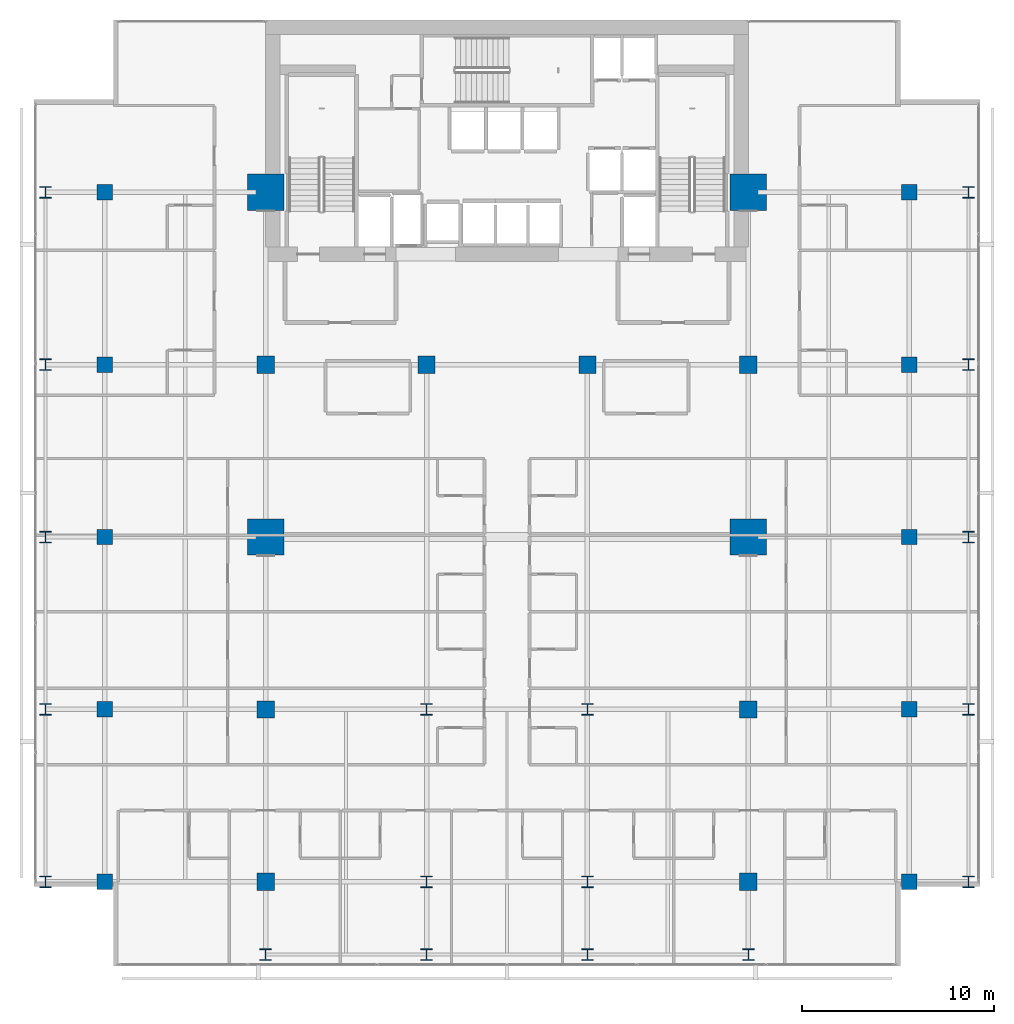
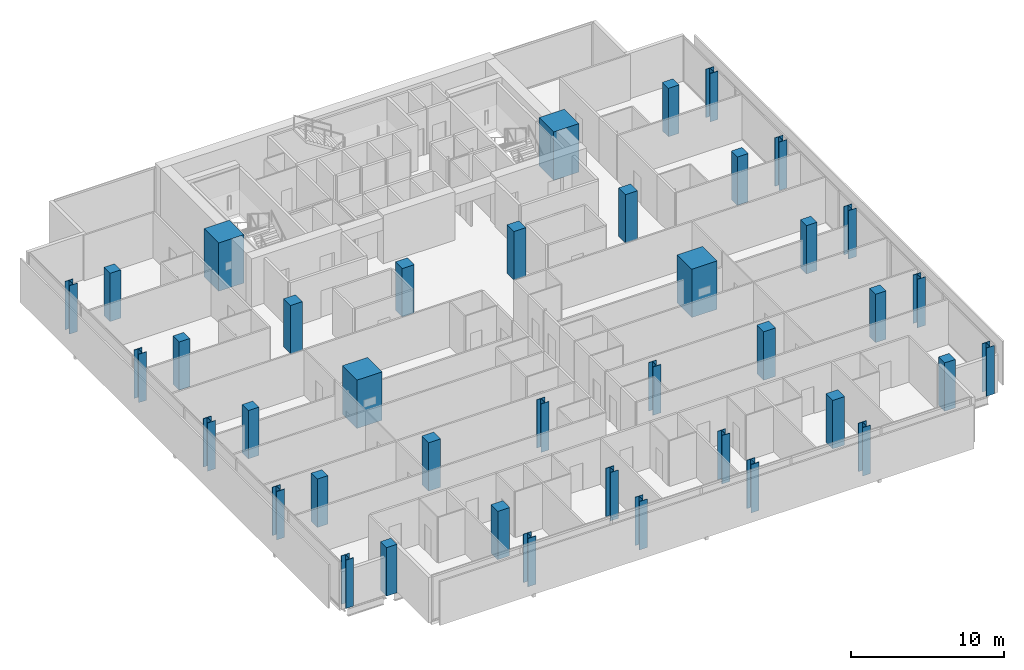
# One storey, part 1 of 34: 40 columns.
"""IFC4 building model written with IfcOpenShell, lengths in metres."""

from ifc_helpers import new_model, si_unit, direction, frame, origin, origin_2d, place, context, subcontext, project, spatial, rectangle, i_section, extrude, material, material_profile, profile_set, type_object, element, save


model = new_model("IFC4")

# Units and contexts
model_context = context("Model", 3, precision=1e-05, world=origin(), true_north=direction((0.0, 1.0)))
body_context = subcontext(model_context, "Body", "Model", "MODEL_VIEW")
ifc_project = project(units=[si_unit("LENGTHUNIT", "METRE"), si_unit("AREAUNIT", "SQUARE_METRE"), si_unit("VOLUMEUNIT", "CUBIC_METRE"), si_unit("PLANEANGLEUNIT", "RADIAN"), si_unit("MASSUNIT", "GRAM", prefix="KILO")], contexts=[model_context])

# Site, building, storey
site_placement = place(None, origin())
site = spatial("IfcSite", under=ifc_project, at=site_placement, CompositionType="ELEMENT")
building_placement = place(site_placement, origin())
building = spatial("IfcBuilding", under=site, at=building_placement, Name="Maruvema Waterfront Hotel and Observation Tower", CompositionType="ELEMENT")
storey_placement = place(building_placement, frame((0.0, 0.0, 131.25)))
storey = spatial("IfcBuildingStorey", under=building, at=storey_placement, Name="L31", CompositionType="ELEMENT", Elevation=131.25)

# Columns
ifc_material_1 = material(Name="Concrete C80/95", Category="concrete")
ifc_material_profile_1 = material_profile(ifc_material_1, rectangle(XDim=1.89990234375, YDim=1.89990234375, at=origin_2d()), Name="MC1900x1900")
ifc_profile_set_1 = profile_set([ifc_material_profile_1], Name="Concrete C80/95")
column_type_1 = type_object("IfcColumnType", Name="Continuous Mega-Column MC1900x1900", PredefinedType="COLUMN", material=ifc_profile_set_1)
for number, where, z_axis, x_axis, name in (
    (1, (25.199951171875, 27.0, 0.0), (0.0, 0.0, 1.0), (1.0, 0.0, 0.0), "L31 Continuous Mega-Column MC-01"),
    (2, (50.39990234375, 27.0, 0.0), (0.0, 0.0, 1.0), (1.0, 0.0, 0.0), "L31 Continuous Mega-Column MC-02"),
    (3, (25.199951171875, 45.0, 0.0), (0.0, 0.0, 1.0), (1.0, 0.0, 0.0), "L31 Continuous Mega-Column MC-03"),
    (4, (50.39990234375, 45.0, 0.0), (0.0, 0.0, 1.0), (1.0, 0.0, 0.0), "L31 Continuous Mega-Column MC-04"),
):
    element("IfcColumn", number, at=place(storey_placement, frame(where, z_axis=z_axis, x_axis=x_axis)), inside=storey, type_object=column_type_1, Name=name, PredefinedType="COLUMN", context=body_context, shape_type="SweptSolid", body=[
        extrude(rectangle(XDim=1.89990234375, YDim=1.89990234375, at=origin_2d()), origin(), (0.0, 0.0, 1.0), 3.85009765625),
    ])
ifc_material_2 = material(Name="Concrete C60/75", Category="concrete")
ifc_material_profile_2 = material_profile(ifc_material_2, rectangle(XDim=0.800048828125, YDim=0.800048828125, at=origin_2d()), Name="RC800x800")
ifc_profile_set_2 = profile_set([ifc_material_profile_2], Name="Concrete C60/75")
column_type_2 = type_object("IfcColumnType", Name="Reinforced Concrete Column RC800x800", PredefinedType="COLUMN", material=ifc_profile_set_2)
for number, where, z_axis, x_axis, name in (
    (5, (16.800048828125, 9.0, 0.0), (0.0, 0.0, 1.0), (1.0, 0.0, 0.0), "L31 Column C-3Y9"),
    (6, (58.800048828125, 9.0, 0.0), (0.0, 0.0, 1.0), (1.0, 0.0, 0.0), "L31 Column C-8Y9"),
    (7, (16.800048828125, 18.0, 0.0), (0.0, 0.0, 1.0), (1.0, 0.0, 0.0), "L31 Column C-3Y18"),
    (8, (58.800048828125, 18.0, 0.0), (0.0, 0.0, 1.0), (1.0, 0.0, 0.0), "L31 Column C-8Y18"),
    (9, (16.800048828125, 27.0, 0.0), (0.0, 0.0, 1.0), (1.0, 0.0, 0.0), "L31 Column C-3Y27"),
    (10, (58.800048828125, 27.0, 0.0), (0.0, 0.0, 1.0), (1.0, 0.0, 0.0), "L31 Column C-8Y27"),
    (11, (16.800048828125, 36.0, 0.0), (0.0, 0.0, 1.0), (1.0, 0.0, 0.0), "L31 Column C-3Y36"),
    (12, (58.800048828125, 36.0, 0.0), (0.0, 0.0, 1.0), (1.0, 0.0, 0.0), "L31 Column C-8Y36"),
    (13, (16.800048828125, 45.0, 0.0), (0.0, 0.0, 1.0), (1.0, 0.0, 0.0), "L31 Column C-3Y45"),
    (14, (58.800048828125, 45.0, 0.0), (0.0, 0.0, 1.0), (1.0, 0.0, 0.0), "L31 Column C-8Y45"),
):
    element("IfcColumn", number, at=place(storey_placement, frame(where, z_axis=z_axis, x_axis=x_axis)), inside=storey, type_object=column_type_2, Name=name, PredefinedType="COLUMN", context=body_context, shape_type="SweptSolid", body=[
        extrude(rectangle(XDim=0.800048828125, YDim=0.800048828125, at=origin_2d()), origin(), (0.0, 0.0, 1.0), 3.85009765625),
    ])
ifc_material_3 = material(Name="Concrete C60/75", Category="concrete")
ifc_material_profile_3 = material_profile(ifc_material_3, rectangle(XDim=0.89990234375, YDim=0.89990234375, at=origin_2d()), Name="RC900x900")
ifc_profile_set_3 = profile_set([ifc_material_profile_3], Name="Concrete C60/75")
column_type_3 = type_object("IfcColumnType", Name="Reinforced Concrete Column RC900x900", PredefinedType="COLUMN", material=ifc_profile_set_3)
for number, where, z_axis, x_axis, name in (
    (15, (25.199951171875, 36.0, 0.0), (0.0, 0.0, 1.0), (1.0, 0.0, 0.0), "L31 Column C-4E"),
    (16, (33.60009765625, 36.0, 0.0), (0.0, 0.0, 1.0), (1.0, 0.0, 0.0), "L31 Column C-5E"),
    (17, (42.0, 36.0, 0.0), (0.0, 0.0, 1.0), (1.0, 0.0, 0.0), "L31 Column C-6E"),
    (18, (50.39990234375, 36.0, 0.0), (0.0, 0.0, 1.0), (1.0, 0.0, 0.0), "L31 Column C-7E"),
    (19, (25.199951171875, 18.0, 0.0), (0.0, 0.0, 1.0), (1.0, 0.0, 0.0), "L31 Column C-4C"),
    (20, (50.39990234375, 18.0, 0.0), (0.0, 0.0, 1.0), (1.0, 0.0, 0.0), "L31 Column C-7C"),
    (21, (25.199951171875, 9.0, 0.0), (0.0, 0.0, 1.0), (1.0, 0.0, 0.0), "L31 Column C-4B"),
    (22, (50.39990234375, 9.0, 0.0), (0.0, 0.0, 1.0), (1.0, 0.0, 0.0), "L31 Column C-7B"),
):
    element("IfcColumn", number, at=place(storey_placement, frame(where, z_axis=z_axis, x_axis=x_axis)), inside=storey, type_object=column_type_3, Name=name, PredefinedType="COLUMN", context=body_context, shape_type="SweptSolid", body=[
        extrude(rectangle(XDim=0.89990234375, YDim=0.89990234375, at=origin_2d()), origin(), (0.0, 0.0, 1.0), 3.85009765625),
    ])
ifc_material_4 = material(Name="Steel ABNT NBR 7007 AR 415 (ASTM A572 Grade 50)", Category="steel")
ifc_material_profile_4 = material_profile(ifc_material_4, i_section(OverallWidth=0.60009765625, OverallDepth=0.60009765625, WebThickness=0.02490234375, FlangeThickness=0.0380859375, at=origin_2d()), Name="CVS600x317")
ifc_profile_set_4 = profile_set([ifc_material_profile_4], Name="Steel ABNT NBR 7007 AR 415 (ASTM A572 Grade 50)")
column_type_4 = type_object("IfcColumnType", Name="Structural Steel Column CVS600x317", PredefinedType="COLUMN", material=ifc_profile_set_4)
for number, where, z_axis, x_axis, name in (
    (23, (33.60009765625, 9.0, 0.0), (0.0, 0.0, 1.0), (1.0, 0.0, 0.0), "L31 Column C-5B"),
    (24, (42.0, 9.0, 0.0), (0.0, 0.0, 1.0), (1.0, 0.0, 0.0), "L31 Column C-6B"),
    (25, (33.60009765625, 18.0, 0.0), (0.0, 0.0, 1.0), (1.0, 0.0, 0.0), "L31 Column C-5C"),
    (26, (42.0, 18.0, 0.0), (0.0, 0.0, 1.0), (1.0, 0.0, 0.0), "L31 Column C-6C"),
    (27, (13.699951171875, 9.0, 0.0), (0.0, 0.0, 1.0), (1.0, 0.0, 0.0), "L31 Column C-Z2W9"),
    (28, (61.89990234375, 9.0, 0.0), (0.0, 0.0, 1.0), (1.0, 0.0, 0.0), "L31 Column C-Z2E9"),
    (29, (13.699951171875, 18.0, 0.0), (0.0, 0.0, 1.0), (1.0, 0.0, 0.0), "L31 Column C-Z2W18"),
    (30, (61.89990234375, 18.0, 0.0), (0.0, 0.0, 1.0), (1.0, 0.0, 0.0), "L31 Column C-Z2E18"),
    (31, (13.699951171875, 27.0, 0.0), (0.0, 0.0, 1.0), (1.0, 0.0, 0.0), "L31 Column C-Z2W27"),
    (32, (61.89990234375, 27.0, 0.0), (0.0, 0.0, 1.0), (1.0, 0.0, 0.0), "L31 Column C-Z2E27"),
    (33, (13.699951171875, 36.0, 0.0), (0.0, 0.0, 1.0), (1.0, 0.0, 0.0), "L31 Column C-Z2W36"),
    (34, (61.89990234375, 36.0, 0.0), (0.0, 0.0, 1.0), (1.0, 0.0, 0.0), "L31 Column C-Z2E36"),
    (35, (13.699951171875, 45.0, 0.0), (0.0, 0.0, 1.0), (1.0, 0.0, 0.0), "L31 Column C-Z2W45"),
    (36, (61.89990234375, 45.0, 0.0), (0.0, 0.0, 1.0), (1.0, 0.0, 0.0), "L31 Column C-Z2E45"),
    (37, (25.199951171875, 5.199951171875, 0.0), (0.0, 0.0, 1.0), (1.0, 0.0, 0.0), "L31 Column C-Z2S4"),
    (38, (33.60009765625, 5.199951171875, 0.0), (0.0, 0.0, 1.0), (1.0, 0.0, 0.0), "L31 Column C-Z2S5"),
    (39, (42.0, 5.199951171875, 0.0), (0.0, 0.0, 1.0), (1.0, 0.0, 0.0), "L31 Column C-Z2S6"),
    (40, (50.39990234375, 5.199951171875, 0.0), (0.0, 0.0, 1.0), (1.0, 0.0, 0.0), "L31 Column C-Z2S7"),
):
    element("IfcColumn", number, at=place(storey_placement, frame(where, z_axis=z_axis, x_axis=x_axis)), inside=storey, type_object=column_type_4, Name=name, PredefinedType="COLUMN", context=body_context, shape_type="SweptSolid", body=[
        extrude(i_section(OverallWidth=0.60009765625, OverallDepth=0.60009765625, WebThickness=0.02490234375, FlangeThickness=0.0380859375, at=origin_2d()), origin(), (0.0, 0.0, 1.0), 3.85009765625),
    ])

save(model, "model.ifc")
